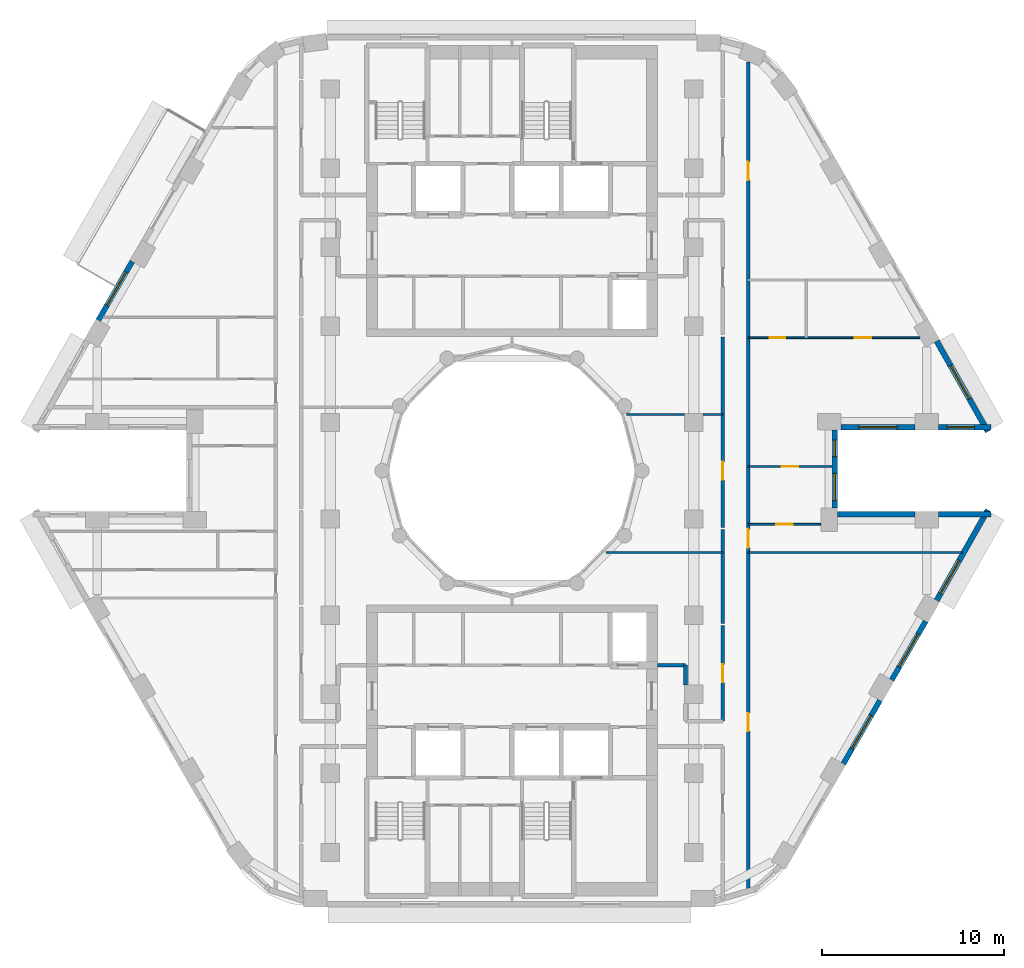
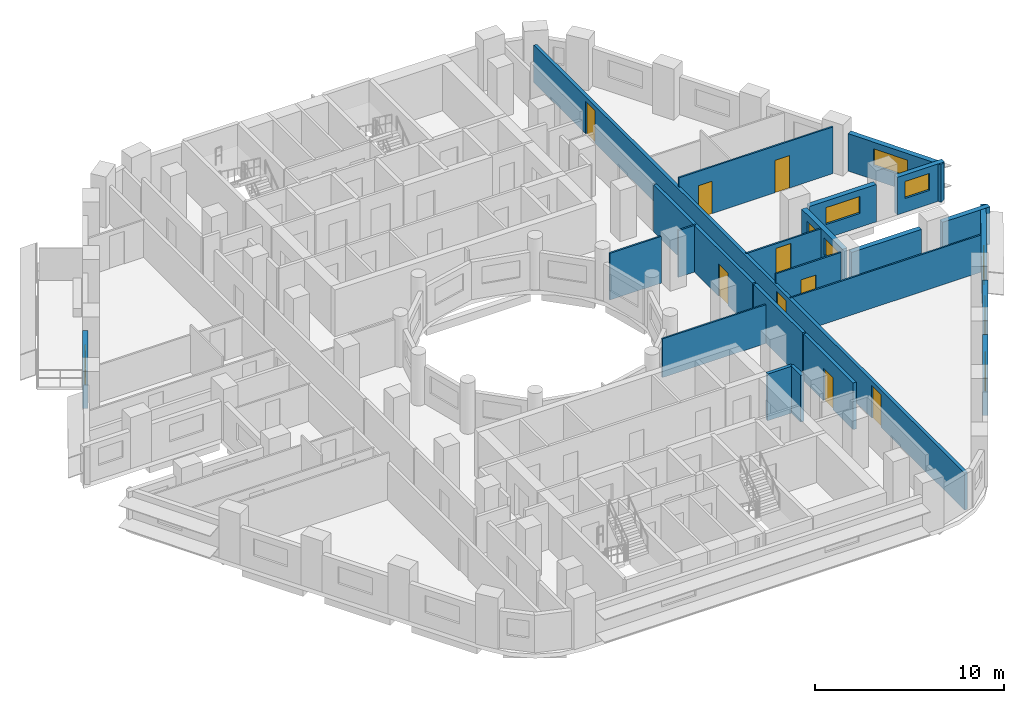
# One storey, part 6 of 13: 23 walls, 9 doors, 9 windows, 18 openings.
"""IFC4 building model written with IfcOpenShell, lengths in metres."""

import ifcopenshell
import ifcopenshell.guid

model = None  # the IFC model being written
_history = None  # IfcOwnerHistory: only IFC2X3 demands one
_inside = {}  # id of a spatial element -> (the spatial element, [elements in it])
_under = {}  # id of a project, library or spatial element -> (it, [spatial elements below it])
_declared = {}  # id of a project -> (the project, [libraries it declares])
_typed = {}  # id of a type object -> (the type object, [elements of that type])
_made_of = {}  # id of a material, layer set ... -> (it, [elements and type objects made of it])


def new_model(schema):
    """Start an empty IFC model of exactly this schema.

    Asked for "IFC4X3", IfcOpenShell would pick the latest addendum, in which some entities
    have other attributes; the version numbers below select the first issue.
    IFC2X3 requires an IfcOwnerHistory on every rooted entity: one is made here for all.
    """
    global model, _history
    if schema == "IFC4X3":
        model = ifcopenshell.file(schema_version=(4, 3, 0, 0))
    else:
        model = ifcopenshell.file(schema=schema)
    _inside.clear()
    _under.clear()
    _declared.clear()
    _typed.clear()
    _made_of.clear()
    _history = None
    if model.schema == "IFC2X3":
        org = make("IfcOrganization", Name="unknown")
        user = make(
            "IfcPersonAndOrganization",
            ThePerson=make("IfcPerson", FamilyName="unknown"),
            TheOrganization=org,
        )
        app = make(
            "IfcApplication",
            ApplicationDeveloper=org,
            Version="unknown",
            ApplicationFullName="unknown",
            ApplicationIdentifier="unknown",
        )
        _history = make(
            "IfcOwnerHistory",
            OwningUser=user,
            OwningApplication=app,
            ChangeAction="ADDED",
            CreationDate=0,
        )
    return model


def make(cls, **values):
    """One entity of the class cls with the attributes given. An attribute that is None is left unset."""
    return model.create_entity(
        cls, **{name: value for name, value in values.items() if value is not None}
    )


def rooted(cls, **values):
    """An entity with a GlobalId (a new one), such as an element, a storey or a relation."""
    return make(cls, GlobalId=ifcopenshell.guid.new(), OwnerHistory=_history, **values)


def si_unit(unit_type, name, prefix=None):
    """IfcSIUnit, for example si_unit("LENGTHUNIT", "METRE", prefix="MILLI")."""
    return make("IfcSIUnit", UnitType=unit_type, Prefix=prefix, Name=name)


def assignment(units):
    """IfcUnitAssignment: the units of a project."""
    return None if units is None else make("IfcUnitAssignment", Units=units)


def point(xyz):
    """IfcCartesianPoint."""
    return None if xyz is None else make("IfcCartesianPoint", Coordinates=xyz)


def direction(xyz):
    """IfcDirection."""
    return None if xyz is None else make("IfcDirection", DirectionRatios=xyz)


def frame(location, z_axis=None, x_axis=None):
    """IfcAxis2Placement3D, a coordinate frame: its origin and axes. An axis left out is left unset."""
    return make(
        "IfcAxis2Placement3D",
        Location=point(location),
        Axis=direction(z_axis),
        RefDirection=direction(x_axis),
    )


def frame_2d(location, x_axis=None):
    """IfcAxis2Placement2D, a coordinate frame in the plane: its origin and x axis."""
    return make(
        "IfcAxis2Placement2D", Location=point(location), RefDirection=direction(x_axis)
    )


def origin():
    """The frame at (0, 0, 0) with its axes left unset."""
    return frame((0.0, 0.0, 0.0))


def place(relative_to, where):
    """IfcLocalPlacement: puts the frame where relative to a parent placement (None: the world)."""
    return make(
        "IfcLocalPlacement", PlacementRelTo=relative_to, RelativePlacement=where
    )


def context(
    kind, dimensions, precision=None, world=None, true_north=None, identifier=None
):
    """IfcGeometricRepresentationContext, for example the 3D "Model" context."""
    return make(
        "IfcGeometricRepresentationContext",
        ContextIdentifier=identifier,
        ContextType=kind,
        CoordinateSpaceDimension=dimensions,
        Precision=precision,
        WorldCoordinateSystem=world,
        TrueNorth=true_north,
    )


def subcontext(parent, identifier, kind, view, scale=None):
    """IfcGeometricRepresentationSubContext, for example "Body" below "Model"."""
    return make(
        "IfcGeometricRepresentationSubContext",
        ContextIdentifier=identifier,
        ContextType=kind,
        ParentContext=parent,
        TargetScale=scale,
        TargetView=view,
    )


def project(units=None, contexts=None):
    """IfcProject with its units and contexts."""
    return rooted(
        "IfcProject",
        Name="project",
        RepresentationContexts=contexts,
        UnitsInContext=assignment(units),
    )


def spatial(cls, under=None, at=None, **own):
    """A site, building, storey or space (cls), placed at a placement, below another one or the project."""
    s = rooted(cls, ObjectPlacement=at, **own)
    if under is not None:
        _under.setdefault(under.id(), (under, []))[1].append(s)
    return s


def profile(cls, at=None, kind="AREA", **sizes):
    """A parametric profile (cls). Its sizes go by their IFC names, for example OverallWidth=200.0."""
    return make(cls, ProfileType=kind, Position=at, **sizes)


def rectangle(**sizes):
    """IfcRectangleProfileDef."""
    return profile("IfcRectangleProfileDef", **sizes)


def extrude(swept, where, along, depth):
    """IfcExtrudedAreaSolid: the profile swept, set in the frame where, extruded along a direction by depth."""
    return make(
        "IfcExtrudedAreaSolid",
        SweptArea=swept,
        Position=where,
        ExtrudedDirection=direction(along),
        Depth=depth,
    )


def shape(context_of_items, identifier, shape_type, items):
    """IfcShapeRepresentation: the items that make up one representation, for example the "Body"."""
    return make(
        "IfcShapeRepresentation",
        ContextOfItems=context_of_items,
        RepresentationIdentifier=identifier,
        RepresentationType=shape_type,
        Items=items,
    )


def material(Name=None, Category=None):
    """IfcMaterial."""
    return make("IfcMaterial", Name=Name, Category=Category)


def layer(
    of_material, thickness, ventilated=None, Name=None, Category=None, Priority=None
):
    """IfcMaterialLayer: one layer of a wall or slab, of a material (None: an air gap)."""
    return make(
        "IfcMaterialLayer",
        Material=of_material,
        LayerThickness=thickness,
        IsVentilated=ventilated,
        Name=Name,
        Category=Category,
        Priority=Priority,
    )


def layer_set(layers, Name=None):
    """IfcMaterialLayerSet."""
    return make("IfcMaterialLayerSet", MaterialLayers=layers, LayerSetName=Name)


def made_of(thing, what):
    """Note that an element or type object is made of a material, layer set ...; save() writes the relation."""
    if what is not None:
        _made_of.setdefault(what.id(), (what, []))[1].append(thing)
    return thing


def type_object(cls, material=None, **own):
    """A type object (cls), such as IfcWallType, which elements share."""
    return made_of(rooted(cls, **own), material)


def element(
    cls,
    number,
    at=None,
    inside=None,
    cuts=None,
    type_object=None,
    material=None,
    context=None,
    identifier="Body",
    shape_type=None,
    held_by="IfcProductDefinitionShape",
    body=None,
    shapes=None,
    **own,
):
    """One element of the class cls, such as IfcWall. Its Tag is "e" and its number.

    at: its placement. inside: the storey or other place that contains it. cuts: it is an
    opening in that element (IfcRelVoidsElement). A single representation is given by context,
    identifier, shape_type and body (its items); several are given by shapes. held_by: the class
    of the entity that holds the representations. save() writes the other relations.
    """
    e = rooted(cls, Tag="e%d" % number, ObjectPlacement=at, **own)
    if body is not None:
        shapes = [shape(context, identifier, shape_type, body)]
    if shapes is not None:
        e.Representation = make(held_by, Representations=shapes)
    if inside is not None:
        _inside.setdefault(inside.id(), (inside, []))[1].append(e)
    if cuts is not None:
        rooted(
            "IfcRelVoidsElement", RelatingBuildingElement=cuts, RelatedOpeningElement=e
        )
    if type_object is not None:
        _typed.setdefault(type_object.id(), (type_object, []))[1].append(e)
    return made_of(e, material)


def fill(opening, filler):
    """IfcRelFillsElement: the door or window that sits in an opening."""
    return rooted(
        "IfcRelFillsElement",
        RelatingOpeningElement=opening,
        RelatedBuildingElement=filler,
    )


def aggregate(whole, parts):
    """IfcRelAggregates: a whole, such as a stair, and the parts it consists of."""
    return rooted("IfcRelAggregates", RelatingObject=whole, RelatedObjects=parts)


def save(model, path):
    """Write the relations noted so far, then the file.

    IfcRelAggregates (storeys below a building ...), IfcRelContainedInSpatialStructure (elements
    in a storey), IfcRelDefinesByType, IfcRelAssociatesMaterial and IfcRelDeclares: one each for
    every whole, place, type object, material and project.
    """
    for whole, parts in _under.values():
        aggregate(whole, parts)
    for where, things in _inside.values():
        rooted(
            "IfcRelContainedInSpatialStructure",
            RelatedElements=things,
            RelatingStructure=where,
        )
    for kind, things in _typed.values():
        rooted("IfcRelDefinesByType", RelatedObjects=things, RelatingType=kind)
    for what, things in _made_of.values():
        rooted("IfcRelAssociatesMaterial", RelatedObjects=things, RelatingMaterial=what)
    for by, libraries in _declared.values():
        rooted("IfcRelDeclares", RelatingContext=by, RelatedDefinitions=libraries)
    model.write(path)


model = new_model("IFC4")

# Units and contexts
model_context = context("Model", 3, precision=1e-05, world=origin(), true_north=direction((0.0, 1.0)))
body_context = subcontext(model_context, "Body", "Model", "MODEL_VIEW")
ifc_project = project(units=[si_unit("LENGTHUNIT", "METRE"), si_unit("AREAUNIT", "SQUARE_METRE"), si_unit("VOLUMEUNIT", "CUBIC_METRE"), si_unit("PLANEANGLEUNIT", "RADIAN"), si_unit("MASSUNIT", "GRAM", prefix="KILO")], contexts=[model_context])

# Site, building, storey
site_placement = place(None, origin())
site = spatial("IfcSite", under=ifc_project, at=site_placement, CompositionType="ELEMENT")
building_placement = place(site_placement, origin())
building = spatial("IfcBuilding", under=site, at=building_placement, Name="Nakaniwa Court", CompositionType="ELEMENT")
storey_placement = place(building_placement, frame((0.0, 0.0, 140.39990234375)))
storey = spatial("IfcBuildingStorey", under=building, at=storey_placement, Name="L36", CompositionType="ELEMENT", Elevation=140.39990234375)

# Wall, opening, door
ifc_material_1 = material(Name="Acoustic double stud partition")
ifc_layer_1 = layer(ifc_material_1, 0.199951171875)
ifc_layer_set_1 = layer_set([ifc_layer_1], Name="Acoustic double stud partition")
wall_type_1 = type_object("IfcWallType", Name="Acoustic double stud partition 200", PredefinedType="PARTITIONING", material=ifc_layer_set_1)
wall_1_placement = place(storey_placement, frame((91.60009765625, 66.22509765625, 0.0), z_axis=(0.0, 0.0, 1.0), x_axis=(0.0, 1.0, 0.0)))
wall_1 = element("IfcWall", 1, at=wall_1_placement, inside=storey, type_object=wall_type_1, Name="Partition PW-073", PredefinedType="PARTITIONING", context=body_context, shape_type="SweptSolid", body=[
    extrude(rectangle(XDim=5.247802734375, YDim=0.199951171875, at=frame_2d((2.6240234375, 0.0))), origin(), (0.0, 0.0, 1.0), 3.025146484375),
])
opening_1_placement = place(wall_1_placement, frame((2.123046875, 0.0, 0.0)))
opening_1 = element("IfcOpeningElement", 2, at=opening_1_placement, cuts=wall_1, Name="Opening D-02-03", PredefinedType="OPENING", context=body_context, shape_type="SweptSolid", body=[
    extrude(rectangle(XDim=1.0, YDim=2.10009765625, at=frame_2d((0.5, 1.050048828125))), frame((0.0, 0.10986328125, 0.0), z_axis=(0.0, -1.0, 0.0), x_axis=(1.0, 0.0, 0.0)), (0.0, 0.0, 1.0), 0.219970703125),
])
ifc_material_2 = material(Name="Solid core timber door set, black veneer", Category="wood")
door_type_1 = type_object("IfcDoorType", Name="Internal door 1000", OperationType="NOTDEFINED", PredefinedType="DOOR", material=ifc_material_2)
door_1_placement = place(opening_1_placement, origin())
door_1 = element("IfcDoor", 3, at=door_1_placement, inside=storey, type_object=door_type_1, Name="Door D-02-03 L36-029", OperationType="SINGLE_SWING_RIGHT", OverallHeight=2.10009765625, OverallWidth=1.0, PredefinedType="DOOR", context=body_context, shape_type="SweptSolid", body=[
    extrude(rectangle(XDim=1.0, YDim=2.10009765625, at=frame_2d((0.5, 1.050048828125))), frame((0.0, 0.02490234375, 0.0), z_axis=(0.0, -1.0, 0.0), x_axis=(1.0, 0.0, 0.0)), (0.0, 0.0, 1.0), 0.050048828125),
])
fill(opening_1, door_1)

# Wall
wall_2_placement = place(storey_placement, frame((91.60009765625, 71.587158203125, 0.0), z_axis=(0.0, 0.0, 1.0), x_axis=(0.0, 1.0, 0.0)))
element("IfcWall", 4, at=wall_2_placement, inside=storey, type_object=wall_type_1, Name="Partition PW-074", PredefinedType="PARTITIONING", context=body_context, shape_type="SweptSolid", body=[
    extrude(rectangle(XDim=5.185546875, YDim=0.199951171875, at=frame_2d((2.5927734375, 0.0))), origin(), (0.0, 0.0, 1.0), 3.025146484375),
])

# Wall, opening, door
wall_3_placement = place(storey_placement, frame((91.60009765625, 76.88720703125, 0.0), z_axis=(0.0, 0.0, 1.0), x_axis=(0.0, 1.0, 0.0)))
wall_3 = element("IfcWall", 5, at=wall_3_placement, inside=storey, type_object=wall_type_1, Name="Partition PW-075", PredefinedType="PARTITIONING", context=body_context, shape_type="SweptSolid", body=[
    extrude(rectangle(XDim=10.485595703125, YDim=0.199951171875, at=frame_2d((5.24267578125, 0.0))), origin(), (0.0, 0.0, 1.0), 3.025146484375),
])
opening_2_placement = place(wall_3_placement, frame((2.60791015625, 0.0, 0.0)))
opening_2 = element("IfcOpeningElement", 6, at=opening_2_placement, cuts=wall_3, Name="Opening D-02-09", PredefinedType="OPENING", context=body_context, shape_type="SweptSolid", body=[
    extrude(rectangle(XDim=1.0, YDim=2.10009765625, at=frame_2d((0.5, 1.050048828125))), frame((0.0, 0.10986328125, 0.0), z_axis=(0.0, -1.0, 0.0), x_axis=(1.0, 0.0, 0.0)), (0.0, 0.0, 1.0), 0.219970703125),
])
door_2_placement = place(opening_2_placement, origin())
door_2 = element("IfcDoor", 7, at=door_2_placement, inside=storey, type_object=door_type_1, Name="Door D-02-09 L36-050", OperationType="SINGLE_SWING_LEFT", OverallHeight=2.10009765625, OverallWidth=1.0, PredefinedType="DOOR", context=body_context, shape_type="SweptSolid", body=[
    extrude(rectangle(XDim=1.0, YDim=2.10009765625, at=frame_2d((0.5, 1.050048828125))), frame((0.0, 0.02490234375, 0.0), z_axis=(0.0, -1.0, 0.0), x_axis=(1.0, 0.0, 0.0)), (0.0, 0.0, 1.0), 0.050048828125),
])
fill(opening_2, door_2)

# Wall, openings, doors
wall_4_placement = place(storey_placement, frame((93.0, 102.498046875, 0.0), z_axis=(0.0, 0.0, 1.0), x_axis=(0.0, -1.0, 0.0)))
wall_4 = element("IfcWall", 8, at=wall_4_placement, inside=storey, type_object=wall_type_1, Name="Partition PW-083", PredefinedType="PARTITIONING", context=body_context, shape_type="SweptSolid", body=[
    extrude(rectangle(XDim=45.664794921875, YDim=0.199951171875, at=frame_2d((22.83251953125, 0.0))), origin(), (0.0, 0.0, 1.0), 2.405029296875),
])
opening_3_placement = place(wall_4_placement, frame((35.8310546875, 0.0, 0.0)))
opening_3 = element("IfcOpeningElement", 9, at=opening_3_placement, cuts=wall_4, Name="Opening D-02-02", PredefinedType="OPENING", context=body_context, shape_type="SweptSolid", body=[
    extrude(rectangle(XDim=1.0, YDim=2.10009765625, at=frame_2d((0.5, 1.050048828125))), frame((0.0, 0.10986328125, 0.0), z_axis=(0.0, -1.0, 0.0), x_axis=(1.0, 0.0, 0.0)), (0.0, 0.0, 1.0), 0.219970703125),
])
opening_4_placement = place(wall_4_placement, frame((25.722900390625, 0.0, 0.0)))
opening_4 = element("IfcOpeningElement", 10, at=opening_4_placement, cuts=wall_4, Name="Opening D-01-01", PredefinedType="OPENING", context=body_context, shape_type="SweptSolid", body=[
    extrude(rectangle(XDim=1.0, YDim=2.10009765625, at=frame_2d((0.5, 1.050048828125))), frame((0.0, 0.10986328125, 0.0), z_axis=(0.0, -1.0, 0.0), x_axis=(1.0, 0.0, 0.0)), (0.0, 0.0, 1.0), 0.219970703125),
])
opening_5_placement = place(wall_4_placement, frame((5.5009765625, 0.0, 0.0)))
opening_5 = element("IfcOpeningElement", 11, at=opening_5_placement, cuts=wall_4, Name="Opening D-02-04", PredefinedType="OPENING", context=body_context, shape_type="SweptSolid", body=[
    extrude(rectangle(XDim=1.0, YDim=2.10009765625, at=frame_2d((0.5, 1.050048828125))), frame((0.0, 0.10986328125, 0.0), z_axis=(0.0, -1.0, 0.0), x_axis=(1.0, 0.0, 0.0)), (0.0, 0.0, 1.0), 0.219970703125),
])
door_type_2 = type_object("IfcDoorType", Name="Flat entrance door 1000", OperationType="NOTDEFINED", PredefinedType="DOOR", material=ifc_material_2)
door_3_placement = place(opening_4_placement, origin())
door_3 = element("IfcDoor", 12, at=door_3_placement, inside=storey, type_object=door_type_2, Name="Door D-01-01 L36-030", OperationType="SINGLE_SWING_LEFT", OverallHeight=2.10009765625, OverallWidth=1.0, PredefinedType="DOOR", context=body_context, shape_type="SweptSolid", body=[
    extrude(rectangle(XDim=1.0, YDim=2.10009765625, at=frame_2d((0.5, 1.050048828125))), frame((0.0, 0.02490234375, 0.0), z_axis=(0.0, -1.0, 0.0), x_axis=(1.0, 0.0, 0.0)), (0.0, 0.0, 1.0), 0.050048828125),
])
fill(opening_4, door_3)
door_4_placement = place(opening_3_placement, origin())
door_4 = element("IfcDoor", 13, at=door_4_placement, inside=storey, type_object=door_type_1, Name="Door D-02-02 L36-028", OperationType="SINGLE_SWING_LEFT", OverallHeight=2.10009765625, OverallWidth=1.0, PredefinedType="DOOR", context=body_context, shape_type="SweptSolid", body=[
    extrude(rectangle(XDim=1.0, YDim=2.10009765625, at=frame_2d((0.5, 1.050048828125))), frame((0.0, 0.02490234375, 0.0), z_axis=(0.0, -1.0, 0.0), x_axis=(1.0, 0.0, 0.0)), (0.0, 0.0, 1.0), 0.050048828125),
])
fill(opening_3, door_4)
door_5_placement = place(opening_5_placement, origin())
door_5 = element("IfcDoor", 14, at=door_5_placement, inside=storey, type_object=door_type_1, Name="Door D-02-04 L36-035", OperationType="SINGLE_SWING_RIGHT", OverallHeight=2.10009765625, OverallWidth=1.0, PredefinedType="DOOR", context=body_context, shape_type="SweptSolid", body=[
    extrude(rectangle(XDim=1.0, YDim=2.10009765625, at=frame_2d((0.5, 1.050048828125))), frame((0.0, 0.02490234375, 0.0), z_axis=(0.0, -1.0, 0.0), x_axis=(1.0, 0.0, 0.0)), (0.0, 0.0, 1.0), 0.050048828125),
])
fill(opening_5, door_5)

# Walls
wall_5_placement = place(storey_placement, frame((88.0, 69.300048828125, 0.0), z_axis=(0.0, 0.0, 1.0), x_axis=(1.0, 0.0, 0.0)))
element("IfcWall", 15, at=wall_5_placement, inside=storey, type_object=wall_type_1, Name="Partition PW-085", PredefinedType="PARTITIONING", context=body_context, shape_type="SweptSolid", body=[
    extrude(rectangle(XDim=1.550048828125, YDim=0.199951171875, at=frame_2d((0.77490234375, 0.0))), origin(), (0.0, 0.0, 1.0), 3.025146484375),
])
wall_6_placement = place(storey_placement, frame((89.550048828125, 68.21728515625, 0.0), z_axis=(0.0, 0.0, 1.0), x_axis=(0.0, 1.0, 0.0)))
element("IfcWall", 16, at=wall_6_placement, inside=storey, type_object=wall_type_1, Name="Partition PW-087", PredefinedType="PARTITIONING", context=body_context, shape_type="SweptSolid", body=[
    extrude(rectangle(XDim=1.082763671875, YDim=0.199951171875, at=frame_2d((0.54150390625, 0.0))), origin(), (0.0, 0.0, 1.0), 3.025146484375),
])

# Wall, opening, window
ifc_material_3 = material(Name="Charcoal ceramic cladding")
ifc_layer_2 = layer(ifc_material_3, 0.02, Name="Ceramic cladding")
ifc_material_4 = material(Name="Ventilated air cavity")
ifc_layer_3 = layer(ifc_material_4, 0.04, ventilated=True, Name="Ventilated cavity")
ifc_material_5 = material(Name="Mineral wool insulation")
ifc_layer_4 = layer(ifc_material_5, 0.1, Name="Insulation")
ifc_material_6 = material(Name="Cement bonded sheathing board")
ifc_layer_5 = layer(ifc_material_6, 0.012, Name="Sheathing")
ifc_material_7 = material(Name="Cold-formed galvanised stud frame with mineral wool infill")
ifc_layer_6 = layer(ifc_material_7, 0.1, Name="Stud frame")
ifc_material_8 = material(Name="Fire-rated gypsum plasterboard lining")
ifc_layer_7 = layer(ifc_material_8, 0.028, Name="Lining")
ifc_layer_set_2 = layer_set([ifc_layer_2, ifc_layer_3, ifc_layer_4, ifc_layer_5, ifc_layer_6, ifc_layer_7], Name="Charcoal ceramic faced external wall system")
wall_type_2 = type_object("IfcWallType", Name="Black ceramic faced external wall 300", PredefinedType="SOLIDWALL", material=ifc_layer_set_2)
wall_7_placement = place(storey_placement, frame((98.1044921875, 82.39990234375, 0.0), z_axis=(0.0, 0.0, 1.0), x_axis=(1.0, 0.0, 0.0)))
wall_7 = element("IfcWall", 17, at=wall_7_placement, inside=storey, type_object=wall_type_2, Name="L36 external wall 00", PredefinedType="SOLIDWALL", context=body_context, shape_type="SweptSolid", body=[
    extrude(rectangle(XDim=4.072509765625, YDim=0.300048828125, at=frame_2d((2.0361328125, 0.0))), origin(), (0.0, 0.0, 1.0), 2.425048828125),
])
opening_6_placement = place(wall_7_placement, frame((0.986083984375, 0.0, 0.89990234375)))
opening_6 = element("IfcOpeningElement", 18, at=opening_6_placement, cuts=wall_7, Name="Opening W7.01", PredefinedType="OPENING", context=body_context, shape_type="SweptSolid", body=[
    extrude(rectangle(XDim=2.10009765625, YDim=1.10009765625, at=frame_2d((1.050048828125, 0.550048828125))), frame((0.0, 0.159912109375, 0.0), z_axis=(0.0, -1.0, 0.0), x_axis=(1.0, 0.0, 0.0)), (0.0, 0.0, 1.0), 0.320068359375),
])
ifc_material_9 = material(Name="Black anodised aluminium frame with dark low-E laminated double glazing", Category="aluminium")
window_type_1 = type_object("IfcWindowType", Name="Dark glass window 2100x1100 sill 900", PartitioningType="SINGLE_PANEL", PredefinedType="WINDOW", material=ifc_material_9)
window_1_placement = place(opening_6_placement, origin())
window_1 = element("IfcWindow", 19, at=window_1_placement, inside=storey, type_object=window_type_1, Name="L36 living window 00-0", OverallHeight=1.10009765625, OverallWidth=2.10009765625, PartitioningType="SINGLE_PANEL", PredefinedType="WINDOW", context=body_context, shape_type="SweptSolid", body=[
    extrude(rectangle(XDim=2.10009765625, YDim=1.10009765625, at=frame_2d((1.050048828125, 0.550048828125))), frame((0.0, 0.030029296875, 0.0), z_axis=(0.0, -1.0, 0.0), x_axis=(1.0, 0.0, 0.0)), (0.0, 0.0, 1.0), 0.06005859375),
])
fill(opening_6, window_1)

wall_8_placement = place(storey_placement, frame((103.468994140625, 82.39990234375, 0.0), z_axis=(0.0, 0.0, 1.0), x_axis=(1.0, 0.0, 0.0)))
wall_8 = element("IfcWall", 20, at=wall_8_placement, inside=storey, type_object=wall_type_2, Name="L36 external wall 01", PredefinedType="SOLIDWALL", context=body_context, shape_type="SweptSolid", body=[
    extrude(rectangle(XDim=2.8876953125, YDim=0.300048828125, at=frame_2d((1.44384765625, 0.0))), origin(), (0.0, 0.0, 1.0), 2.425048828125),
])
opening_7_placement = place(wall_8_placement, frame((0.468994140625, 0.0, 0.89990234375)))
opening_7 = element("IfcOpeningElement", 21, at=opening_7_placement, cuts=wall_8, Name="Opening W5.02", PredefinedType="OPENING", context=body_context, shape_type="SweptSolid", body=[
    extrude(rectangle(XDim=1.5, YDim=1.10009765625, at=frame_2d((0.75, 0.550048828125))), frame((0.0, 0.159912109375, 0.0), z_axis=(0.0, -1.0, 0.0), x_axis=(1.0, 0.0, 0.0)), (0.0, 0.0, 1.0), 0.320068359375),
])
window_type_2 = type_object("IfcWindowType", Name="Dark glass window 1500x1100 sill 900", PartitioningType="SINGLE_PANEL", PredefinedType="WINDOW", material=ifc_material_9)
window_2_placement = place(opening_7_placement, origin())
window_2 = element("IfcWindow", 22, at=window_2_placement, inside=storey, type_object=window_type_2, Name="L36 living window 01-0", OverallHeight=1.10009765625, OverallWidth=1.5, PartitioningType="SINGLE_PANEL", PredefinedType="WINDOW", context=body_context, shape_type="SweptSolid", body=[
    extrude(rectangle(XDim=1.5, YDim=1.10009765625, at=frame_2d((0.75, 0.550048828125))), frame((0.0, 0.030029296875, 0.0), z_axis=(0.0, -1.0, 0.0), x_axis=(1.0, 0.0, 0.0)), (0.0, 0.0, 1.0), 0.06005859375),
])
fill(opening_7, window_2)

wall_9_placement = place(storey_placement, frame((106.18603515625, 82.1533203125, 0.0), z_axis=(0.0, 0.0, 1.0), x_axis=(-0.492498306264, 0.87031340236, 0.0)))
wall_9 = element("IfcWall", 23, at=wall_9_placement, inside=storey, type_object=wall_type_2, Name="L36 external wall 02", PredefinedType="SOLIDWALL", context=body_context, shape_type="SweptSolid", body=[
    extrude(rectangle(XDim=5.7265625, YDim=0.300048828125, at=frame_2d((2.86328125, 0.0))), origin(), (0.0, 0.0, 1.0), 2.425048828125),
])
opening_8_placement = place(wall_9_placement, frame((2.076416015625, 0.0, 0.89990234375)))
opening_8 = element("IfcOpeningElement", 24, at=opening_8_placement, cuts=wall_9, Name="Opening W7.03", PredefinedType="OPENING", context=body_context, shape_type="SweptSolid", body=[
    extrude(rectangle(XDim=2.10009765625, YDim=1.10009765625, at=frame_2d((1.050048828125, 0.550048828125))), frame((0.0, 0.159912109375, 0.0), z_axis=(0.0, -1.0, 0.0), x_axis=(1.0, 0.0, 0.0)), (0.0, 0.0, 1.0), 0.320068359375),
])
window_3_placement = place(opening_8_placement, origin())
window_3 = element("IfcWindow", 25, at=window_3_placement, inside=storey, type_object=window_type_1, Name="L36 living window 02-0", OverallHeight=1.10009765625, OverallWidth=2.10009765625, PartitioningType="SINGLE_PANEL", PredefinedType="WINDOW", context=body_context, shape_type="SweptSolid", body=[
    extrude(rectangle(XDim=2.10009765625, YDim=1.10009765625, at=frame_2d((1.050048828125, 0.550048828125))), frame((0.0, 0.030029296875, 0.0), z_axis=(0.0, -1.0, 0.0), x_axis=(1.0, 0.0, 0.0)), (0.0, 0.0, 1.0), 0.06005859375),
])
fill(opening_8, window_3)

wall_10_placement = place(storey_placement, frame((59.108642578125, 91.515380859375, 0.0), z_axis=(0.0, 0.0, 1.0), x_axis=(-0.499933594891, -0.866063739398, 0.0)))
wall_10 = element("IfcWall", 26, at=wall_10_placement, inside=storey, type_object=wall_type_2, Name="L36 external wall 13", PredefinedType="SOLIDWALL", context=body_context, shape_type="SweptSolid", body=[
    extrude(rectangle(XDim=3.73681640625, YDim=0.300048828125, at=frame_2d((1.868408203125, 0.0))), origin(), (0.0, 0.0, 1.0), 2.425048828125),
])
opening_9_placement = place(wall_10_placement, frame((0.6826171875, 0.0, 0.89990234375)))
opening_9 = element("IfcOpeningElement", 27, at=opening_9_placement, cuts=wall_10, Name="Opening W7.14", PredefinedType="OPENING", context=body_context, shape_type="SweptSolid", body=[
    extrude(rectangle(XDim=2.10009765625, YDim=1.10009765625, at=frame_2d((1.050048828125, 0.550048828125))), frame((0.0, 0.159912109375, 0.0), z_axis=(0.0, -1.0, 0.0), x_axis=(1.0, 0.0, 0.0)), (0.0, 0.0, 1.0), 0.320068359375),
])
window_4_placement = place(opening_9_placement, origin())
window_4 = element("IfcWindow", 28, at=window_4_placement, inside=storey, type_object=window_type_1, Name="L36 living window 13-0", OverallHeight=1.10009765625, OverallWidth=2.10009765625, PartitioningType="SINGLE_PANEL", PredefinedType="WINDOW", context=body_context, shape_type="SweptSolid", body=[
    extrude(rectangle(XDim=2.10009765625, YDim=1.10009765625, at=frame_2d((1.050048828125, 0.550048828125))), frame((0.0, 0.030029296875, 0.0), z_axis=(0.0, -1.0, 0.0), x_axis=(1.0, 0.0, 0.0)), (0.0, 0.0, 1.0), 0.06005859375),
])
fill(opening_9, window_4)

wall_11_placement = place(storey_placement, frame((98.228271484375, 63.872314453125, 0.0), z_axis=(0.0, 0.0, 1.0), x_axis=(0.500031546601, 0.86600718958, 0.0)))
wall_11 = element("IfcWall", 29, at=wall_11_placement, inside=storey, type_object=wall_type_2, Name="L36 external wall 30", PredefinedType="SOLIDWALL", context=body_context, shape_type="SweptSolid", body=[
    extrude(rectangle(XDim=4.033935546875, YDim=0.300048828125, at=frame_2d((2.01708984375, 0.0))), origin(), (0.0, 0.0, 1.0), 2.425048828125),
])
opening_10_placement = place(wall_11_placement, frame((0.967041015625, 0.0, 0.89990234375)))
opening_10 = element("IfcOpeningElement", 30, at=opening_10_placement, cuts=wall_11, Name="Opening W7.31", PredefinedType="OPENING", context=body_context, shape_type="SweptSolid", body=[
    extrude(rectangle(XDim=2.10009765625, YDim=1.10009765625, at=frame_2d((1.050048828125, 0.550048828125))), frame((0.0, 0.159912109375, 0.0), z_axis=(0.0, -1.0, 0.0), x_axis=(1.0, 0.0, 0.0)), (0.0, 0.0, 1.0), 0.320068359375),
])
window_5_placement = place(opening_10_placement, origin())
window_5 = element("IfcWindow", 31, at=window_5_placement, inside=storey, type_object=window_type_1, Name="L36 habitable room window 30-0", OverallHeight=1.10009765625, OverallWidth=2.10009765625, PartitioningType="SINGLE_PANEL", PredefinedType="WINDOW", context=body_context, shape_type="SweptSolid", body=[
    extrude(rectangle(XDim=2.10009765625, YDim=1.10009765625, at=frame_2d((1.050048828125, 0.550048828125))), frame((0.0, 0.030029296875, 0.0), z_axis=(0.0, -1.0, 0.0), x_axis=(1.0, 0.0, 0.0)), (0.0, 0.0, 1.0), 0.06005859375),
])
fill(opening_10, window_5)

wall_12_placement = place(storey_placement, frame((100.891357421875, 68.484619140625, 0.0), z_axis=(0.0, 0.0, 1.0), x_axis=(0.499933594891, 0.866063739398, 0.0)))
wall_12 = element("IfcWall", 32, at=wall_12_placement, inside=storey, type_object=wall_type_2, Name="L36 external wall 31", PredefinedType="SOLIDWALL", context=body_context, shape_type="SweptSolid", body=[
    extrude(rectangle(XDim=3.73681640625, YDim=0.300048828125, at=frame_2d((1.868408203125, 0.0))), origin(), (0.0, 0.0, 1.0), 2.425048828125),
])
opening_11_placement = place(wall_12_placement, frame((0.818359375, 0.0, 0.89990234375)))
opening_11 = element("IfcOpeningElement", 33, at=opening_11_placement, cuts=wall_12, Name="Opening W7.32", PredefinedType="OPENING", context=body_context, shape_type="SweptSolid", body=[
    extrude(rectangle(XDim=2.10009765625, YDim=1.10009765625, at=frame_2d((1.050048828125, 0.550048828125))), frame((0.0, 0.159912109375, 0.0), z_axis=(0.0, -1.0, 0.0), x_axis=(1.0, 0.0, 0.0)), (0.0, 0.0, 1.0), 0.320068359375),
])
window_6_placement = place(opening_11_placement, origin())
window_6 = element("IfcWindow", 34, at=window_6_placement, inside=storey, type_object=window_type_1, Name="L36 habitable room window 31-0", OverallHeight=1.10009765625, OverallWidth=2.10009765625, PartitioningType="SINGLE_PANEL", PredefinedType="WINDOW", context=body_context, shape_type="SweptSolid", body=[
    extrude(rectangle(XDim=2.10009765625, YDim=1.10009765625, at=frame_2d((1.050048828125, 0.550048828125))), frame((0.0, 0.030029296875, 0.0), z_axis=(0.0, -1.0, 0.0), x_axis=(1.0, 0.0, 0.0)), (0.0, 0.0, 1.0), 0.06005859375),
])
fill(opening_11, window_6)

wall_13_placement = place(storey_placement, frame((103.36572265625, 72.86279296875, 0.0), z_axis=(0.0, 0.0, 1.0), x_axis=(0.492498306264, 0.87031340236, 0.0)))
wall_13 = element("IfcWall", 35, at=wall_13_placement, inside=storey, type_object=wall_type_2, Name="L36 external wall 32", PredefinedType="SOLIDWALL", context=body_context, shape_type="SweptSolid", body=[
    extrude(rectangle(XDim=5.7265625, YDim=0.300048828125, at=frame_2d((2.86328125, 0.0))), origin(), (0.0, 0.0, 1.0), 2.425048828125),
])
opening_12_placement = place(wall_13_placement, frame((0.4296875, 0.0, 0.89990234375)))
opening_12 = element("IfcOpeningElement", 36, at=opening_12_placement, cuts=wall_13, Name="Opening W7.33", PredefinedType="OPENING", context=body_context, shape_type="SweptSolid", body=[
    extrude(rectangle(XDim=2.10009765625, YDim=1.10009765625, at=frame_2d((1.050048828125, 0.550048828125))), frame((0.0, 0.159912109375, 0.0), z_axis=(0.0, -1.0, 0.0), x_axis=(1.0, 0.0, 0.0)), (0.0, 0.0, 1.0), 0.320068359375),
])
window_7_placement = place(opening_12_placement, origin())
window_7 = element("IfcWindow", 37, at=window_7_placement, inside=storey, type_object=window_type_1, Name="L36 habitable room window 32-0", OverallHeight=1.10009765625, OverallWidth=2.10009765625, PartitioningType="SINGLE_PANEL", PredefinedType="WINDOW", context=body_context, shape_type="SweptSolid", body=[
    extrude(rectangle(XDim=2.10009765625, YDim=1.10009765625, at=frame_2d((1.050048828125, 0.550048828125))), frame((0.0, 0.030029296875, 0.0), z_axis=(0.0, -1.0, 0.0), x_axis=(1.0, 0.0, 0.0)), (0.0, 0.0, 1.0), 0.06005859375),
])
fill(opening_12, window_7)

# Walls
wall_14_placement = place(storey_placement, frame((106.356689453125, 77.60009765625, 0.0), z_axis=(0.0, 0.0, 1.0), x_axis=(-1.0, 0.0, 0.0)))
element("IfcWall", 38, at=wall_14_placement, inside=storey, type_object=wall_type_2, Name="L36 external wall 33", PredefinedType="SOLIDWALL", context=body_context, shape_type="SweptSolid", body=[
    extrude(rectangle(XDim=2.8876953125, YDim=0.300048828125, at=frame_2d((1.44384765625, 0.0))), origin(), (0.0, 0.0, 1.0), 2.425048828125),
])
wall_15_placement = place(storey_placement, frame((102.177001953125, 77.60009765625, 0.0), z_axis=(0.0, 0.0, 1.0), x_axis=(-1.0, 0.0, 0.0)))
element("IfcWall", 39, at=wall_15_placement, inside=storey, type_object=wall_type_2, Name="L36 external wall 34", PredefinedType="SOLIDWALL", context=body_context, shape_type="SweptSolid", body=[
    extrude(rectangle(XDim=4.272705078125, YDim=0.300048828125, at=frame_2d((2.13623046875, 0.0))), origin(), (0.0, 0.0, 1.0), 2.425048828125),
])

# Wall, openings, windows
wall_16_placement = place(storey_placement, frame((97.75830078125, 77.946044921875, 0.0), z_axis=(0.0, 0.0, 1.0), x_axis=(0.0, 1.0, 0.0)))
wall_16 = element("IfcWall", 40, at=wall_16_placement, inside=storey, type_object=wall_type_2, Name="L36 external wall 35", PredefinedType="SOLIDWALL", context=body_context, shape_type="SweptSolid", body=[
    extrude(rectangle(XDim=4.307861328125, YDim=0.300048828125, at=frame_2d((2.15380859375, 0.0))), origin(), (0.0, 0.0, 1.0), 2.425048828125),
])
opening_13_placement = place(wall_16_placement, frame((0.40673828125, 0.0, 0.89990234375)))
opening_13 = element("IfcOpeningElement", 41, at=opening_13_placement, cuts=wall_16, Name="Opening W5.34", PredefinedType="OPENING", context=body_context, shape_type="SweptSolid", body=[
    extrude(rectangle(XDim=1.5, YDim=1.10009765625, at=frame_2d((0.75, 0.550048828125))), frame((0.0, 0.159912109375, 0.0), z_axis=(0.0, -1.0, 0.0), x_axis=(1.0, 0.0, 0.0)), (0.0, 0.0, 1.0), 0.320068359375),
])
opening_14_placement = place(wall_16_placement, frame((2.836669921875, 0.0, 0.89990234375)))
opening_14 = element("IfcOpeningElement", 42, at=opening_14_placement, cuts=wall_16, Name="Opening W9.35", PredefinedType="OPENING", context=body_context, shape_type="SweptSolid", body=[
    extrude(rectangle(XDim=0.89990234375, YDim=1.10009765625, at=frame_2d((0.449951171875, 0.550048828125))), frame((0.0, 0.159912109375, 0.0), z_axis=(0.0, -1.0, 0.0), x_axis=(1.0, 0.0, 0.0)), (0.0, 0.0, 1.0), 0.320068359375),
])
window_8_placement = place(opening_13_placement, origin())
window_8 = element("IfcWindow", 43, at=window_8_placement, inside=storey, type_object=window_type_2, Name="L36 habitable room window 35-0", OverallHeight=1.10009765625, OverallWidth=1.5, PartitioningType="SINGLE_PANEL", PredefinedType="WINDOW", context=body_context, shape_type="SweptSolid", body=[
    extrude(rectangle(XDim=1.5, YDim=1.10009765625, at=frame_2d((0.75, 0.550048828125))), frame((0.0, 0.030029296875, 0.0), z_axis=(0.0, -1.0, 0.0), x_axis=(1.0, 0.0, 0.0)), (0.0, 0.0, 1.0), 0.06005859375),
])
fill(opening_13, window_8)
window_type_3 = type_object("IfcWindowType", Name="Dark glass window 900x1100 sill 900", PartitioningType="SINGLE_PANEL", PredefinedType="WINDOW", material=ifc_material_9)
window_9_placement = place(opening_14_placement, origin())
window_9 = element("IfcWindow", 44, at=window_9_placement, inside=storey, type_object=window_type_3, Name="L36 living window 35-1", OverallHeight=1.10009765625, OverallWidth=0.89990234375, PartitioningType="SINGLE_PANEL", PredefinedType="WINDOW", context=body_context, shape_type="SweptSolid", body=[
    extrude(rectangle(XDim=0.89990234375, YDim=1.10009765625, at=frame_2d((0.449951171875, 0.550048828125))), frame((0.0, 0.030029296875, 0.0), z_axis=(0.0, -1.0, 0.0), x_axis=(1.0, 0.0, 0.0)), (0.0, 0.0, 1.0), 0.06005859375),
])
fill(opening_14, window_9)

# Walls
ifc_material_10 = material(Name="Single stud plasterboard partition")
ifc_layer_8 = layer(ifc_material_10, 0.10009765625)
ifc_layer_set_3 = layer_set([ifc_layer_8], Name="Single stud plasterboard partition")
wall_type_3 = type_object("IfcWallType", Name="Single stud plasterboard partition 100", PredefinedType="PARTITIONING", material=ifc_layer_set_3)
wall_17_placement = place(storey_placement, frame((85.17333984375, 75.5, 0.0), z_axis=(0.0, 0.0, 1.0), x_axis=(1.0, 0.0, 0.0)))
element("IfcWall", 45, at=wall_17_placement, inside=storey, type_object=wall_type_3, Name="Partition PW-117", PredefinedType="PARTITIONING", context=body_context, shape_type="SweptSolid", body=[
    extrude(rectangle(XDim=6.42578125, YDim=0.10009765625, at=frame_2d((3.212890625, 0.0))), origin(), (0.0, 0.0, 1.0), 2.505126953125),
])
wall_18_placement = place(storey_placement, frame((93.0009765625, 75.5, 0.0), z_axis=(0.0, 0.0, 1.0), x_axis=(1.0, 0.0, 0.0)))
element("IfcWall", 46, at=wall_18_placement, inside=storey, type_object=wall_type_3, Name="Partition PW-118", PredefinedType="PARTITIONING", context=body_context, shape_type="SweptSolid", body=[
    extrude(rectangle(XDim=11.767333984375, YDim=0.10009765625, at=frame_2d((5.8837890625, 0.0))), origin(), (0.0, 0.0, 1.0), 2.405029296875),
])

# Wall, opening, door
wall_19_placement = place(storey_placement, frame((93.0009765625, 77.050048828125, 0.0), z_axis=(0.0, 0.0, 1.0), x_axis=(1.0, 0.0, 0.0)))
wall_19 = element("IfcWall", 47, at=wall_19_placement, inside=storey, type_object=wall_type_3, Name="Partition PW-119", PredefinedType="PARTITIONING", context=body_context, shape_type="SweptSolid", body=[
    extrude(rectangle(XDim=3.9873046875, YDim=0.10009765625, at=frame_2d((1.99365234375, 0.0))), origin(), (0.0, 0.0, 1.0), 3.025146484375),
])
opening_15_placement = place(wall_19_placement, frame((1.5439453125, 0.0, 0.0)))
opening_15 = element("IfcOpeningElement", 48, at=opening_15_placement, cuts=wall_19, Name="Opening D-33-01", PredefinedType="OPENING", context=body_context, shape_type="SweptSolid", body=[
    extrude(rectangle(XDim=0.89990234375, YDim=2.10009765625, at=frame_2d((0.449951171875, 1.050048828125))), frame((0.0, 0.06005859375, 0.0), z_axis=(0.0, -1.0, 0.0), x_axis=(1.0, 0.0, 0.0)), (0.0, 0.0, 1.0), 0.1201171875),
])
door_type_3 = type_object("IfcDoorType", Name="Internal door 900", OperationType="NOTDEFINED", PredefinedType="DOOR", material=ifc_material_2)
door_6_placement = place(opening_15_placement, origin())
door_6 = element("IfcDoor", 49, at=door_6_placement, inside=storey, type_object=door_type_3, Name="Door D-33-01 L36-031", OperationType="SINGLE_SWING_RIGHT", OverallHeight=2.10009765625, OverallWidth=0.89990234375, PredefinedType="DOOR", context=body_context, shape_type="SweptSolid", body=[
    extrude(rectangle(XDim=0.89990234375, YDim=2.10009765625, at=frame_2d((0.449951171875, 1.050048828125))), frame((0.0, 0.02490234375, 0.0), z_axis=(0.0, -1.0, 0.0), x_axis=(1.0, 0.0, 0.0)), (0.0, 0.0, 1.0), 0.050048828125),
])
fill(opening_15, door_6)

wall_20_placement = place(storey_placement, frame((93.0009765625, 80.236083984375, 0.0), z_axis=(0.0, 0.0, 1.0), x_axis=(1.0, 0.0, 0.0)))
wall_20 = element("IfcWall", 50, at=wall_20_placement, inside=storey, type_object=wall_type_3, Name="Partition PW-120", PredefinedType="PARTITIONING", context=body_context, shape_type="SweptSolid", body=[
    extrude(rectangle(XDim=4.607421875, YDim=0.10009765625, at=frame_2d((2.3037109375, 0.0))), origin(), (0.0, 0.0, 1.0), 2.405029296875),
])
opening_16_placement = place(wall_20_placement, frame((1.85400390625, 0.0, 0.0)))
opening_16 = element("IfcOpeningElement", 51, at=opening_16_placement, cuts=wall_20, Name="Opening D-33-02", PredefinedType="OPENING", context=body_context, shape_type="SweptSolid", body=[
    extrude(rectangle(XDim=0.89990234375, YDim=2.10009765625, at=frame_2d((0.449951171875, 1.050048828125))), frame((0.0, 0.06005859375, 0.0), z_axis=(0.0, -1.0, 0.0), x_axis=(1.0, 0.0, 0.0)), (0.0, 0.0, 1.0), 0.1201171875),
])
door_7_placement = place(opening_16_placement, origin())
door_7 = element("IfcDoor", 52, at=door_7_placement, inside=storey, type_object=door_type_3, Name="Door D-33-02 L36-032", OperationType="SINGLE_SWING_LEFT", OverallHeight=2.10009765625, OverallWidth=0.89990234375, PredefinedType="DOOR", context=body_context, shape_type="SweptSolid", body=[
    extrude(rectangle(XDim=0.89990234375, YDim=2.10009765625, at=frame_2d((0.449951171875, 1.050048828125))), frame((0.0, 0.02490234375, 0.0), z_axis=(0.0, -1.0, 0.0), x_axis=(1.0, 0.0, 0.0)), (0.0, 0.0, 1.0), 0.050048828125),
])
fill(opening_16, door_7)

# Wall, openings, doors
wall_21_placement = place(storey_placement, frame((93.0009765625, 87.31396484375, 0.0), z_axis=(0.0, 0.0, 1.0), x_axis=(1.0, 0.0, 0.0)))
wall_21 = element("IfcWall", 53, at=wall_21_placement, inside=storey, type_object=wall_type_3, Name="Partition PW-121", PredefinedType="PARTITIONING", context=body_context, shape_type="SweptSolid", body=[
    extrude(rectangle(XDim=9.426513671875, YDim=0.10009765625, at=frame_2d((4.71337890625, 0.0))), origin(), (0.0, 0.0, 1.0), 3.025146484375),
])
opening_17_placement = place(wall_21_placement, frame((1.175048828125, 0.0, 0.0)))
opening_17 = element("IfcOpeningElement", 54, at=opening_17_placement, cuts=wall_21, Name="Opening D-03-01", PredefinedType="OPENING", context=body_context, shape_type="SweptSolid", body=[
    extrude(rectangle(XDim=0.85009765625, YDim=2.10009765625, at=frame_2d((0.425048828125, 1.050048828125))), frame((0.0, 0.06005859375, 0.0), z_axis=(0.0, -1.0, 0.0), x_axis=(1.0, 0.0, 0.0)), (0.0, 0.0, 1.0), 0.1201171875),
])
opening_18_placement = place(wall_21_placement, frame((5.863037109375, 0.0, 0.0)))
opening_18 = element("IfcOpeningElement", 55, at=opening_18_placement, cuts=wall_21, Name="Opening D-33-03", PredefinedType="OPENING", context=body_context, shape_type="SweptSolid", body=[
    extrude(rectangle(XDim=0.89990234375, YDim=2.10009765625, at=frame_2d((0.449951171875, 1.050048828125))), frame((0.0, 0.06005859375, 0.0), z_axis=(0.0, -1.0, 0.0), x_axis=(1.0, 0.0, 0.0)), (0.0, 0.0, 1.0), 0.1201171875),
])
ifc_material_11 = material(Name="Moisture sealed timber door set", Category="wood")
door_type_4 = type_object("IfcDoorType", Name="Bathroom door 850", OperationType="NOTDEFINED", PredefinedType="DOOR", material=ifc_material_11)
door_8_placement = place(opening_17_placement, origin())
door_8 = element("IfcDoor", 56, at=door_8_placement, inside=storey, type_object=door_type_4, Name="Door D-03-01 L36-033", OperationType="SINGLE_SWING_RIGHT", OverallHeight=2.10009765625, OverallWidth=0.85009765625, PredefinedType="DOOR", context=body_context, shape_type="SweptSolid", body=[
    extrude(rectangle(XDim=0.85009765625, YDim=2.10009765625, at=frame_2d((0.425048828125, 1.050048828125))), frame((0.0, 0.02490234375, 0.0), z_axis=(0.0, -1.0, 0.0), x_axis=(1.0, 0.0, 0.0)), (0.0, 0.0, 1.0), 0.050048828125),
])
fill(opening_17, door_8)
door_9_placement = place(opening_18_placement, origin())
door_9 = element("IfcDoor", 57, at=door_9_placement, inside=storey, type_object=door_type_3, Name="Door D-33-03 L36-034", OperationType="SINGLE_SWING_LEFT", OverallHeight=2.10009765625, OverallWidth=0.89990234375, PredefinedType="DOOR", context=body_context, shape_type="SweptSolid", body=[
    extrude(rectangle(XDim=0.89990234375, YDim=2.10009765625, at=frame_2d((0.449951171875, 1.050048828125))), frame((0.0, 0.02490234375, 0.0), z_axis=(0.0, -1.0, 0.0), x_axis=(1.0, 0.0, 0.0)), (0.0, 0.0, 1.0), 0.050048828125),
])
fill(opening_18, door_9)

# Walls
wall_22_placement = place(storey_placement, frame((86.328125, 83.10009765625, 0.0), z_axis=(0.0, 0.0, 1.0), x_axis=(1.0, 0.0, 0.0)))
element("IfcWall", 58, at=wall_22_placement, inside=storey, type_object=wall_type_3, Name="Partition PW-136", PredefinedType="PARTITIONING", context=body_context, shape_type="SweptSolid", body=[
    extrude(rectangle(XDim=3.15185546875, YDim=0.10009765625, at=frame_2d((1.575927734375, 0.0))), origin(), (0.0, 0.0, 1.0), 3.025146484375),
])
wall_23_placement = place(storey_placement, frame((90.52001953125, 83.10009765625, 0.0), z_axis=(0.0, 0.0, 1.0), x_axis=(1.0, 0.0, 0.0)))
element("IfcWall", 59, at=wall_23_placement, inside=storey, type_object=wall_type_3, Name="Partition PW-137", PredefinedType="PARTITIONING", context=body_context, shape_type="SweptSolid", body=[
    extrude(rectangle(XDim=1.0791015625, YDim=0.10009765625, at=frame_2d((0.53955078125, 0.0))), origin(), (0.0, 0.0, 1.0), 3.025146484375),
])

save(model, "model.ifc")
